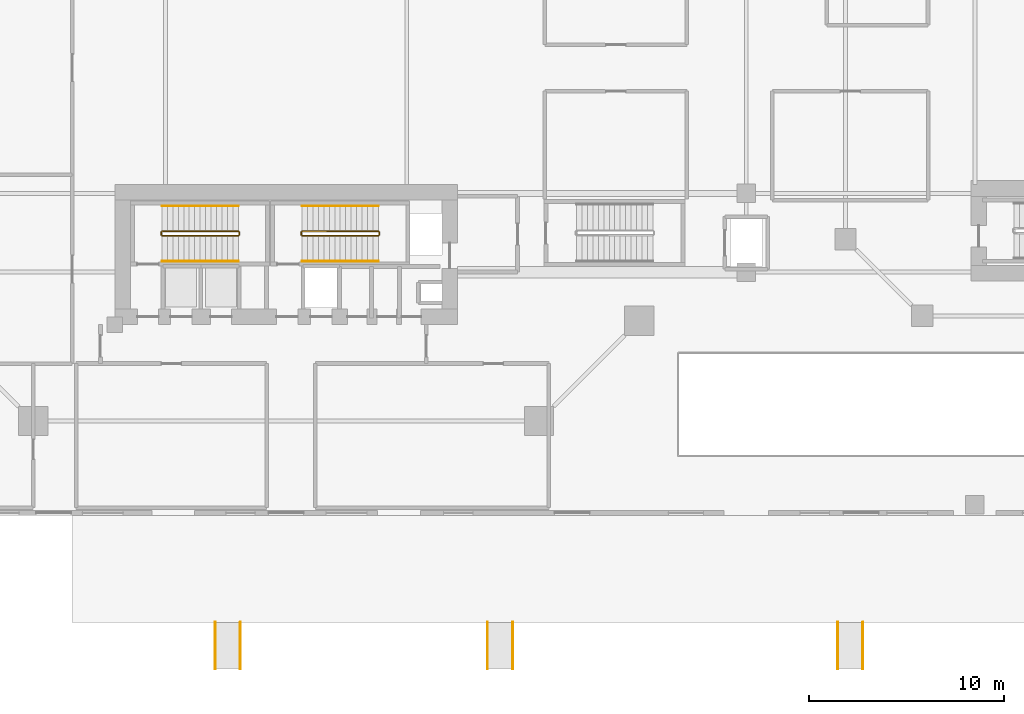
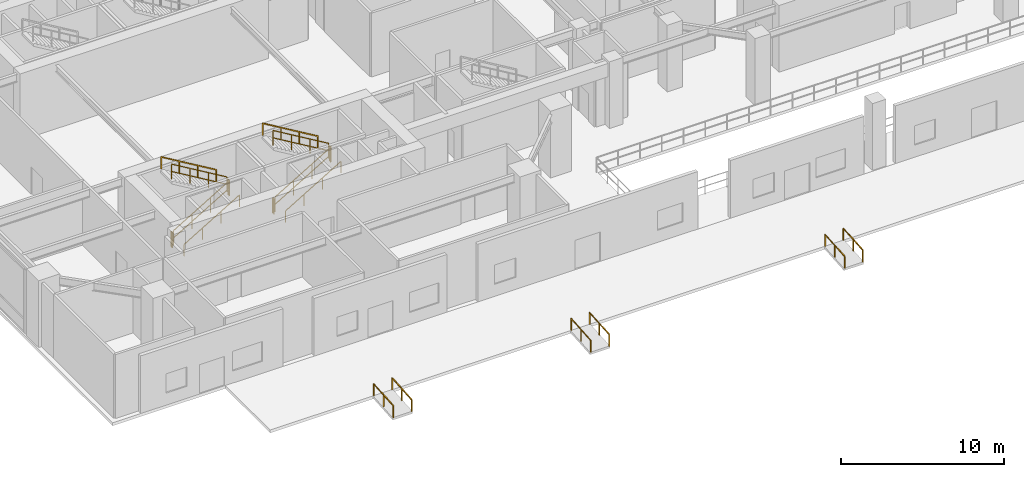
# One storey, part 14 of 18: 18 railings.
"""IFC4 building model written with IfcOpenShell, lengths in metres."""

from ifc_helpers import new_model, si_unit, direction, frame, origin, origin_2d, place, context, subcontext, project, spatial, rectangle, extrude, material, type_object, element, save


model = new_model("IFC4")

# Units and contexts
model_context = context("Model", 3, precision=1e-05, world=origin(), true_north=direction((0.0, 1.0)))
body_context = subcontext(model_context, "Body", "Model", "MODEL_VIEW")
ifc_project = project(units=[si_unit("LENGTHUNIT", "METRE"), si_unit("AREAUNIT", "SQUARE_METRE"), si_unit("VOLUMEUNIT", "CUBIC_METRE"), si_unit("PLANEANGLEUNIT", "RADIAN"), si_unit("MASSUNIT", "GRAM", prefix="KILO"), si_unit("THERMODYNAMICTEMPERATUREUNIT", "KELVIN"), si_unit("POWERUNIT", "WATT")], contexts=[model_context])

# Site, building, storey
site_placement = place(None, origin())
site = spatial("IfcSite", under=ifc_project, at=site_placement, CompositionType="ELEMENT")
building_placement = place(site_placement, origin())
building = spatial("IfcBuilding", under=site, at=building_placement, Name="Qiaomeng Ring Towers", CompositionType="ELEMENT")
storey_placement = place(building_placement, origin())
storey = spatial("IfcBuildingStorey", under=building, at=storey_placement, Name="L00", CompositionType="ELEMENT", Elevation=0.0)

# Railings
ifc_material_1 = material(Name="Galvanised steel", Category="steel")
railing_type_1 = type_object("IfcRailingType", Name="ARC-RL-GUARD", PredefinedType="GUARDRAIL", material=ifc_material_1)
railing_1_placement = place(storey_placement, frame((12.6201171875, 14.360107421875, 0.166748046875)))
element("IfcRailing", 1, at=railing_1_placement, inside=storey, type_object=railing_type_1, Name="L00 ST3 stair guard 1", PredefinedType="GUARDRAIL", context=body_context, shape_type="SweptSolid", body=[
    extrude(rectangle(XDim=0.048095703125, YDim=0.048095703125, at=origin_2d()), frame((0.0, 0.0, 1.1259765625), z_axis=(0.859296244711, 0.0, 0.511478214419), x_axis=(0.0, 1.0, 0.0)), (0.0, 0.0, 1.0), 4.561767578125),
    extrude(rectangle(XDim=0.048095703125, YDim=0.048095703125, at=origin_2d()), frame((0.0, 0.0, 0.574951171875), z_axis=(0.859296244711, 0.0, 0.511478214419), x_axis=(0.0, 1.0, 0.0)), (0.0, 0.0, 1.0), 4.561767578125),
    extrude(rectangle(XDim=0.0419921875, YDim=0.0419921875, at=origin_2d()), origin(), (0.0, 0.0, 1.0), 1.101806640625),
    extrude(rectangle(XDim=0.0419921875, YDim=0.0419921875, at=origin_2d()), frame((1.306640625, 0.0, 0.77783203125)), (0.0, 0.0, 1.0), 1.101806640625),
    extrude(rectangle(XDim=0.0419921875, YDim=0.0419921875, at=origin_2d()), frame((2.61328125, 0.0, 1.555419921875)), (0.0, 0.0, 1.0), 1.101806640625),
    extrude(rectangle(XDim=0.0419921875, YDim=0.0419921875, at=origin_2d()), frame((3.919921875, 0.0, 2.333251953125)), (0.0, 0.0, 1.0), 1.101806640625),
])
railing_2_placement = place(storey_placement, frame((16.590087890625, 14.409912109375, 2.5)))
element("IfcRailing", 2, at=railing_2_placement, inside=storey, type_object=railing_type_1, Name="L00 ST3 stair guard 2", PredefinedType="GUARDRAIL", context=body_context, shape_type="SweptSolid", body=[
    extrude(rectangle(XDim=0.048095703125, YDim=0.048095703125, at=origin_2d()), frame((0.0, 0.0, 1.1259765625), z_axis=(0.0, 1.0, 0.0), x_axis=(-1.0, 0.0, 0.0)), (0.0, 0.0, 1.0), 0.14013671875),
    extrude(rectangle(XDim=0.048095703125, YDim=0.048095703125, at=origin_2d()), frame((0.0, 0.0, 0.574951171875), z_axis=(0.0, 1.0, 0.0), x_axis=(-1.0, 0.0, 0.0)), (0.0, 0.0, 1.0), 0.14013671875),
    extrude(rectangle(XDim=0.0419921875, YDim=0.0419921875, at=origin_2d()), origin(), (0.0, 0.0, 1.0), 1.101806640625),
    extrude(rectangle(XDim=0.0419921875, YDim=0.0419921875, at=origin_2d()), frame((0.0, 0.14013671875, 0.0)), (0.0, 0.0, 1.0), 1.101806640625),
])
railing_3_placement = place(storey_placement, frame((16.5400390625, 14.60009765625, 2.666748046875)))
element("IfcRailing", 3, at=railing_3_placement, inside=storey, type_object=railing_type_1, Name="L00 ST3 stair guard 3", PredefinedType="GUARDRAIL", context=body_context, shape_type="SweptSolid", body=[
    extrude(rectangle(XDim=0.048095703125, YDim=0.048095703125, at=origin_2d()), frame((0.0, 0.0, 1.1259765625), z_axis=(-0.859296244711, 0.0, 0.511478214419), x_axis=(0.0, -1.0, 0.0)), (0.0, 0.0, 1.0), 4.561767578125),
    extrude(rectangle(XDim=0.048095703125, YDim=0.048095703125, at=origin_2d()), frame((0.0, 0.0, 0.574951171875), z_axis=(-0.859296244711, 0.0, 0.511478214419), x_axis=(0.0, -1.0, 0.0)), (0.0, 0.0, 1.0), 4.561767578125),
    extrude(rectangle(XDim=0.0419921875, YDim=0.0419921875, at=origin_2d()), origin(), (0.0, 0.0, 1.0), 1.101806640625),
    extrude(rectangle(XDim=0.0419921875, YDim=0.0419921875, at=origin_2d()), frame((-1.306640625, 0.0, 0.77783203125)), (0.0, 0.0, 1.0), 1.101806640625),
    extrude(rectangle(XDim=0.0419921875, YDim=0.0419921875, at=origin_2d()), frame((-2.61328125, 0.0, 1.555419921875)), (0.0, 0.0, 1.0), 1.101806640625),
    extrude(rectangle(XDim=0.0419921875, YDim=0.0419921875, at=origin_2d()), frame((-3.919921875, 0.0, 2.333251953125)), (0.0, 0.0, 1.0), 1.101806640625),
])
railing_4_placement = place(storey_placement, frame((12.570068359375, 14.409912109375, 0.0)))
element("IfcRailing", 4, at=railing_4_placement, inside=storey, type_object=railing_type_1, Name="L00 ST3 stair guard 4", PredefinedType="GUARDRAIL", context=body_context, shape_type="SweptSolid", body=[
    extrude(rectangle(XDim=0.048095703125, YDim=0.048095703125, at=origin_2d()), frame((0.0, 0.0, 1.1259765625), z_axis=(0.0, 1.0, 0.0), x_axis=(-1.0, 0.0, 0.0)), (0.0, 0.0, 1.0), 0.14013671875),
    extrude(rectangle(XDim=0.048095703125, YDim=0.048095703125, at=origin_2d()), frame((0.0, 0.0, 0.574951171875), z_axis=(0.0, 1.0, 0.0), x_axis=(-1.0, 0.0, 0.0)), (0.0, 0.0, 1.0), 0.14013671875),
    extrude(rectangle(XDim=0.0419921875, YDim=0.0419921875, at=origin_2d()), origin(), (0.0, 0.0, 1.0), 1.101806640625),
    extrude(rectangle(XDim=0.0419921875, YDim=0.0419921875, at=origin_2d()), frame((0.0, 0.14013671875, 0.0)), (0.0, 0.0, 1.0), 1.101806640625),
])
railing_5_placement = place(storey_placement, frame((19.820068359375, 14.360107421875, 0.166748046875)))
element("IfcRailing", 5, at=railing_5_placement, inside=storey, type_object=railing_type_1, Name="L00 ST4 stair guard 1", PredefinedType="GUARDRAIL", context=body_context, shape_type="SweptSolid", body=[
    extrude(rectangle(XDim=0.048095703125, YDim=0.048095703125, at=origin_2d()), frame((0.0, 0.0, 1.1259765625), z_axis=(0.859296244711, 0.0, 0.511478214419), x_axis=(0.0, 1.0, 0.0)), (0.0, 0.0, 1.0), 4.561767578125),
    extrude(rectangle(XDim=0.048095703125, YDim=0.048095703125, at=origin_2d()), frame((0.0, 0.0, 0.574951171875), z_axis=(0.859296244711, 0.0, 0.511478214419), x_axis=(0.0, 1.0, 0.0)), (0.0, 0.0, 1.0), 4.561767578125),
    extrude(rectangle(XDim=0.0419921875, YDim=0.0419921875, at=origin_2d()), origin(), (0.0, 0.0, 1.0), 1.101806640625),
    extrude(rectangle(XDim=0.0419921875, YDim=0.0419921875, at=origin_2d()), frame((1.306640625, 0.0, 0.77783203125)), (0.0, 0.0, 1.0), 1.101806640625),
    extrude(rectangle(XDim=0.0419921875, YDim=0.0419921875, at=origin_2d()), frame((2.61328125, 0.0, 1.555419921875)), (0.0, 0.0, 1.0), 1.101806640625),
    extrude(rectangle(XDim=0.0419921875, YDim=0.0419921875, at=origin_2d()), frame((3.919921875, 0.0, 2.333251953125)), (0.0, 0.0, 1.0), 1.101806640625),
])
railing_6_placement = place(storey_placement, frame((23.7900390625, 14.409912109375, 2.5)))
element("IfcRailing", 6, at=railing_6_placement, inside=storey, type_object=railing_type_1, Name="L00 ST4 stair guard 2", PredefinedType="GUARDRAIL", context=body_context, shape_type="SweptSolid", body=[
    extrude(rectangle(XDim=0.048095703125, YDim=0.048095703125, at=origin_2d()), frame((0.0, 0.0, 1.1259765625), z_axis=(0.0, 1.0, 0.0), x_axis=(-1.0, 0.0, 0.0)), (0.0, 0.0, 1.0), 0.14013671875),
    extrude(rectangle(XDim=0.048095703125, YDim=0.048095703125, at=origin_2d()), frame((0.0, 0.0, 0.574951171875), z_axis=(0.0, 1.0, 0.0), x_axis=(-1.0, 0.0, 0.0)), (0.0, 0.0, 1.0), 0.14013671875),
    extrude(rectangle(XDim=0.0419921875, YDim=0.0419921875, at=origin_2d()), origin(), (0.0, 0.0, 1.0), 1.101806640625),
    extrude(rectangle(XDim=0.0419921875, YDim=0.0419921875, at=origin_2d()), frame((0.0, 0.14013671875, 0.0)), (0.0, 0.0, 1.0), 1.101806640625),
])
railing_7_placement = place(storey_placement, frame((23.739990234375, 14.60009765625, 2.666748046875)))
element("IfcRailing", 7, at=railing_7_placement, inside=storey, type_object=railing_type_1, Name="L00 ST4 stair guard 3", PredefinedType="GUARDRAIL", context=body_context, shape_type="SweptSolid", body=[
    extrude(rectangle(XDim=0.048095703125, YDim=0.048095703125, at=origin_2d()), frame((0.0, 0.0, 1.1259765625), z_axis=(-0.859296244711, 0.0, 0.511478214419), x_axis=(0.0, -1.0, 0.0)), (0.0, 0.0, 1.0), 4.561767578125),
    extrude(rectangle(XDim=0.048095703125, YDim=0.048095703125, at=origin_2d()), frame((0.0, 0.0, 0.574951171875), z_axis=(-0.859296244711, 0.0, 0.511478214419), x_axis=(0.0, -1.0, 0.0)), (0.0, 0.0, 1.0), 4.561767578125),
    extrude(rectangle(XDim=0.0419921875, YDim=0.0419921875, at=origin_2d()), origin(), (0.0, 0.0, 1.0), 1.101806640625),
    extrude(rectangle(XDim=0.0419921875, YDim=0.0419921875, at=origin_2d()), frame((-1.306640625, 0.0, 0.77783203125)), (0.0, 0.0, 1.0), 1.101806640625),
    extrude(rectangle(XDim=0.0419921875, YDim=0.0419921875, at=origin_2d()), frame((-2.61328125, 0.0, 1.555419921875)), (0.0, 0.0, 1.0), 1.101806640625),
    extrude(rectangle(XDim=0.0419921875, YDim=0.0419921875, at=origin_2d()), frame((-3.919921875, 0.0, 2.333251953125)), (0.0, 0.0, 1.0), 1.101806640625),
])
railing_8_placement = place(storey_placement, frame((19.77001953125, 14.409912109375, 0.0)))
element("IfcRailing", 8, at=railing_8_placement, inside=storey, type_object=railing_type_1, Name="L00 ST4 stair guard 4", PredefinedType="GUARDRAIL", context=body_context, shape_type="SweptSolid", body=[
    extrude(rectangle(XDim=0.048095703125, YDim=0.048095703125, at=origin_2d()), frame((0.0, 0.0, 1.1259765625), z_axis=(0.0, 1.0, 0.0), x_axis=(-1.0, 0.0, 0.0)), (0.0, 0.0, 1.0), 0.14013671875),
    extrude(rectangle(XDim=0.048095703125, YDim=0.048095703125, at=origin_2d()), frame((0.0, 0.0, 0.574951171875), z_axis=(0.0, 1.0, 0.0), x_axis=(-1.0, 0.0, 0.0)), (0.0, 0.0, 1.0), 0.14013671875),
    extrude(rectangle(XDim=0.0419921875, YDim=0.0419921875, at=origin_2d()), origin(), (0.0, 0.0, 1.0), 1.101806640625),
    extrude(rectangle(XDim=0.0419921875, YDim=0.0419921875, at=origin_2d()), frame((0.0, 0.14013671875, 0.0)), (0.0, 0.0, 1.0), 1.101806640625),
])
ifc_material_2 = material(Name="Stainless steel 316", Category="steel")
railing_type_2 = type_object("IfcRailingType", Name="ARC-RL-HAND", PredefinedType="HANDRAIL", material=ifc_material_2)
railing_9_placement = place(storey_placement, frame((12.6201171875, 13.06005859375, 0.166748046875)))
element("IfcRailing", 9, at=railing_9_placement, inside=storey, type_object=railing_type_2, Name="L00 ST3 stair handrail 1", PredefinedType="HANDRAIL", context=body_context, shape_type="SweptSolid", body=[
    extrude(rectangle(XDim=0.048095703125, YDim=0.048095703125, at=origin_2d()), frame((0.0, 0.0, 0.8759765625), z_axis=(0.859296244711, 0.0, 0.511478214419), x_axis=(0.0, 1.0, 0.0)), (0.0, 0.0, 1.0), 4.561767578125),
    extrude(rectangle(XDim=0.0419921875, YDim=0.0419921875, at=origin_2d()), origin(), (0.0, 0.0, 1.0), 0.851806640625),
    extrude(rectangle(XDim=0.0419921875, YDim=0.0419921875, at=origin_2d()), frame((1.306640625, 0.0, 0.77783203125)), (0.0, 0.0, 1.0), 0.851806640625),
    extrude(rectangle(XDim=0.0419921875, YDim=0.0419921875, at=origin_2d()), frame((2.61328125, 0.0, 1.555419921875)), (0.0, 0.0, 1.0), 0.851806640625),
    extrude(rectangle(XDim=0.0419921875, YDim=0.0419921875, at=origin_2d()), frame((3.919921875, 0.0, 2.333251953125)), (0.0, 0.0, 1.0), 0.851806640625),
])
railing_10_placement = place(storey_placement, frame((16.5400390625, 15.89990234375, 2.666748046875)))
element("IfcRailing", 10, at=railing_10_placement, inside=storey, type_object=railing_type_2, Name="L00 ST3 stair handrail 2", PredefinedType="HANDRAIL", context=body_context, shape_type="SweptSolid", body=[
    extrude(rectangle(XDim=0.048095703125, YDim=0.048095703125, at=origin_2d()), frame((0.0, 0.0, 0.8759765625), z_axis=(-0.859296244711, 0.0, 0.511478214419), x_axis=(0.0, -1.0, 0.0)), (0.0, 0.0, 1.0), 4.561767578125),
    extrude(rectangle(XDim=0.0419921875, YDim=0.0419921875, at=origin_2d()), origin(), (0.0, 0.0, 1.0), 0.851806640625),
    extrude(rectangle(XDim=0.0419921875, YDim=0.0419921875, at=origin_2d()), frame((-1.306640625, 0.0, 0.77783203125)), (0.0, 0.0, 1.0), 0.851806640625),
    extrude(rectangle(XDim=0.0419921875, YDim=0.0419921875, at=origin_2d()), frame((-2.61328125, 0.0, 1.555419921875)), (0.0, 0.0, 1.0), 0.851806640625),
    extrude(rectangle(XDim=0.0419921875, YDim=0.0419921875, at=origin_2d()), frame((-3.919921875, 0.0, 2.333251953125)), (0.0, 0.0, 1.0), 0.851806640625),
])
railing_11_placement = place(storey_placement, frame((19.820068359375, 13.06005859375, 0.166748046875)))
element("IfcRailing", 11, at=railing_11_placement, inside=storey, type_object=railing_type_2, Name="L00 ST4 stair handrail 1", PredefinedType="HANDRAIL", context=body_context, shape_type="SweptSolid", body=[
    extrude(rectangle(XDim=0.048095703125, YDim=0.048095703125, at=origin_2d()), frame((0.0, 0.0, 0.8759765625), z_axis=(0.859296244711, 0.0, 0.511478214419), x_axis=(0.0, 1.0, 0.0)), (0.0, 0.0, 1.0), 4.561767578125),
    extrude(rectangle(XDim=0.0419921875, YDim=0.0419921875, at=origin_2d()), origin(), (0.0, 0.0, 1.0), 0.851806640625),
    extrude(rectangle(XDim=0.0419921875, YDim=0.0419921875, at=origin_2d()), frame((1.306640625, 0.0, 0.77783203125)), (0.0, 0.0, 1.0), 0.851806640625),
    extrude(rectangle(XDim=0.0419921875, YDim=0.0419921875, at=origin_2d()), frame((2.61328125, 0.0, 1.555419921875)), (0.0, 0.0, 1.0), 0.851806640625),
    extrude(rectangle(XDim=0.0419921875, YDim=0.0419921875, at=origin_2d()), frame((3.919921875, 0.0, 2.333251953125)), (0.0, 0.0, 1.0), 0.851806640625),
])
railing_12_placement = place(storey_placement, frame((23.739990234375, 15.89990234375, 2.666748046875)))
element("IfcRailing", 12, at=railing_12_placement, inside=storey, type_object=railing_type_2, Name="L00 ST4 stair handrail 2", PredefinedType="HANDRAIL", context=body_context, shape_type="SweptSolid", body=[
    extrude(rectangle(XDim=0.048095703125, YDim=0.048095703125, at=origin_2d()), frame((0.0, 0.0, 0.8759765625), z_axis=(-0.859296244711, 0.0, 0.511478214419), x_axis=(0.0, -1.0, 0.0)), (0.0, 0.0, 1.0), 4.561767578125),
    extrude(rectangle(XDim=0.0419921875, YDim=0.0419921875, at=origin_2d()), origin(), (0.0, 0.0, 1.0), 0.851806640625),
    extrude(rectangle(XDim=0.0419921875, YDim=0.0419921875, at=origin_2d()), frame((-1.306640625, 0.0, 0.77783203125)), (0.0, 0.0, 1.0), 0.851806640625),
    extrude(rectangle(XDim=0.0419921875, YDim=0.0419921875, at=origin_2d()), frame((-2.61328125, 0.0, 1.555419921875)), (0.0, 0.0, 1.0), 0.851806640625),
    extrude(rectangle(XDim=0.0419921875, YDim=0.0419921875, at=origin_2d()), frame((-3.919921875, 0.0, 2.333251953125)), (0.0, 0.0, 1.0), 0.851806640625),
])
for number, where, name in (
    (13, (15.35009765625, -7.89794921875, -0.179931640625), "AR1 Accessible Handrail L"),
    (14, (16.64990234375, -7.89794921875, -0.179931640625), "AR1 Accessible Handrail R"),
    (15, (47.35009765625, -7.89794921875, -0.179931640625), "AR2 Accessible Handrail L"),
    (16, (48.64990234375, -7.89794921875, -0.179931640625), "AR2 Accessible Handrail R"),
    (17, (29.35009765625, -7.89794921875, -0.179931640625), "AR5 Accessible Handrail L"),
    (18, (30.64990234375, -7.89794921875, -0.179931640625), "AR5 Accessible Handrail R"),
):
    element("IfcRailing", number, at=place(storey_placement, frame(where)), inside=storey, type_object=railing_type_2, Name=name, PredefinedType="HANDRAIL", context=body_context, shape_type="SweptSolid", body=[
        extrude(rectangle(XDim=0.048095703125, YDim=0.048095703125, at=origin_2d()), frame((0.0, 0.0, 0.8759765625), z_axis=(0.0, 0.997201201018, 0.074764728906), x_axis=(-1.0, 0.0, 0.0)), (0.0, 0.0, 1.0), 2.40673828125),
        extrude(rectangle(XDim=0.0419921875, YDim=0.0419921875, at=origin_2d()), origin(), (0.0, 0.0, 1.0), 0.851806640625),
        extrude(rectangle(XDim=0.0419921875, YDim=0.0419921875, at=origin_2d()), frame((0.0, 1.199951171875, 0.08984375)), (0.0, 0.0, 1.0), 0.851806640625),
        extrude(rectangle(XDim=0.0419921875, YDim=0.0419921875, at=origin_2d()), frame((0.0, 2.39990234375, 0.179931640625)), (0.0, 0.0, 1.0), 0.851806640625),
    ])

save(model, "model.ifc")
